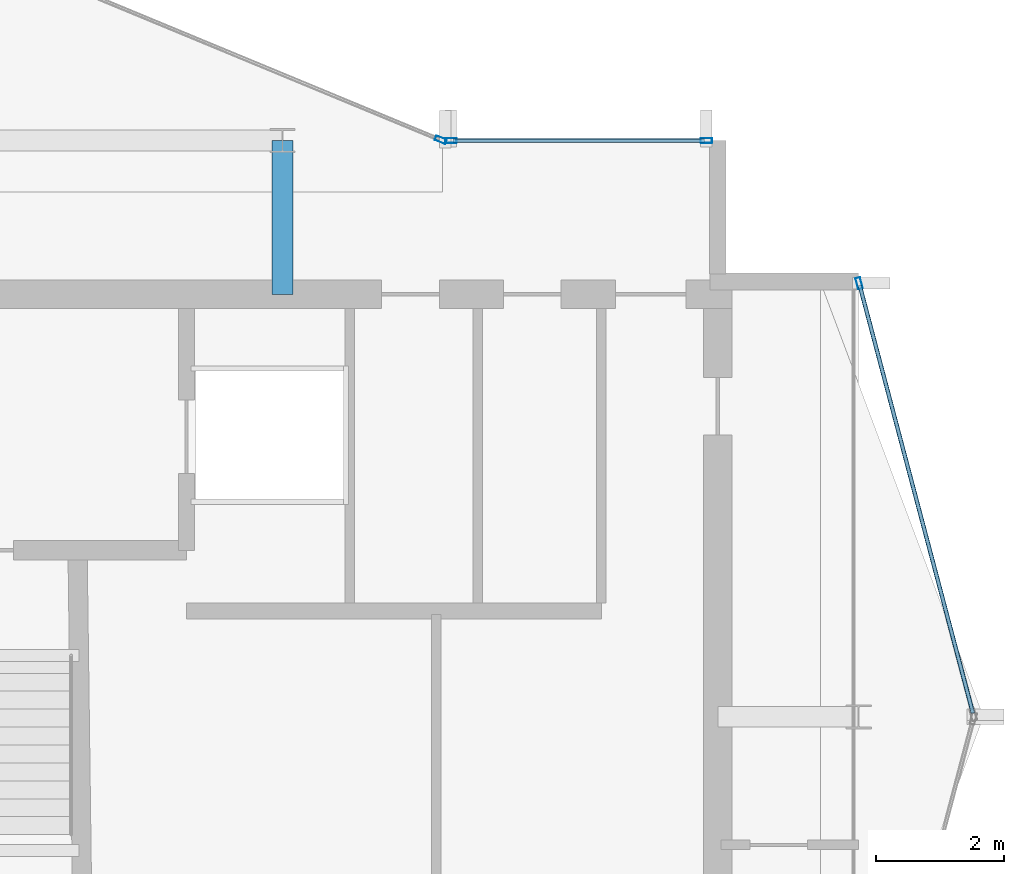
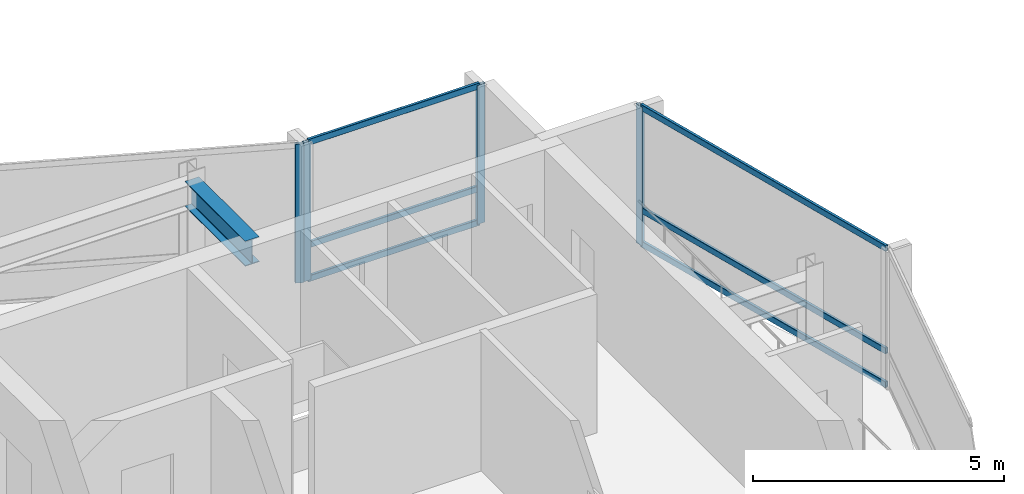
# One storey, part 10 of 19: 10 members, 1 beam, 3 elements without a shape of their own.
"""IFC4 building model written with IfcOpenShell, lengths in metres."""

from ifc_helpers import new_model, si_unit, direction, frame, origin, origin_2d, place, context, subcontext, project, spatial, hollow_rectangle, i_section, extrude, material, layer, layer_set, material_profile, profile_set, type_object, element, aggregate, save


model = new_model("IFC4")

# Units and contexts
model_context = context("Model", 3, precision=1e-05, world=origin(), true_north=direction((0.0, 1.0)))
body_context = subcontext(model_context, "Body", "Model", "MODEL_VIEW")
ifc_project = project(units=[si_unit("LENGTHUNIT", "METRE"), si_unit("AREAUNIT", "SQUARE_METRE"), si_unit("VOLUMEUNIT", "CUBIC_METRE"), si_unit("PLANEANGLEUNIT", "RADIAN"), si_unit("MASSUNIT", "GRAM", prefix="KILO")], contexts=[model_context])

# Site, building, storey
site_placement = place(None, origin())
site = spatial("IfcSite", under=ifc_project, at=site_placement, CompositionType="ELEMENT")
building_placement = place(site_placement, origin())
building = spatial("IfcBuilding", under=site, at=building_placement, Name="Solvaryn Broadcast Tower", CompositionType="ELEMENT")
storey_placement = place(building_placement, frame((0.0, 0.0, 281.5)))
storey = spatial("IfcBuildingStorey", under=building, at=storey_placement, Name="L71", CompositionType="ELEMENT", Elevation=281.5)

# Beam
ifc_material_1 = material(Name="Steel ASTM A992 Grade 50", Category="steel")
ifc_material_profile_1 = material_profile(ifc_material_1, i_section(OverallWidth=0.323974609375, OverallDepth=0.611083984375, WebThickness=0.0126953125, FlangeThickness=0.01904296875, FilletRadius=0.014892578125, at=origin_2d()))
ifc_profile_set_1 = profile_set([ifc_material_profile_1], Name="Steel ASTM A992 Grade 50")
beam_type = type_object("IfcBeamType", Name="BM-B1-W24X104", PredefinedType="BEAM", material=ifc_profile_set_1)
beam_placement = place(storey_placement, frame((36.0, 24.60009765625, 3.064453125), z_axis=(0.0, 1.0, 0.0), x_axis=(-1.0, 0.0, 0.0)))
element("IfcBeam", 1, at=beam_placement, inside=storey, type_object=beam_type, Name="L71 Core Tie Beam CTE2", PredefinedType="BEAM", context=body_context, shape_type="SweptSolid", body=[
    extrude(i_section(OverallWidth=0.323974609375, OverallDepth=0.611083984375, WebThickness=0.0126953125, FlangeThickness=0.01904296875, FilletRadius=0.014892578125, at=origin_2d()), origin(), (0.0, 0.0, 1.0), 2.39990234375),
])

# Curtain wall, member
ifc_material_2 = material(Name="Aluminium and Terracotta Unitised Curtain Wall", Category="masonry")
ifc_layer = layer(ifc_material_2, 0.199951171875)
ifc_layer_set = layer_set([ifc_layer], Name="CW-SYS2-LOWMID")
curtain_wall_type = type_object("IfcCurtainWallType", Name="CW-SYS2-LOWMID", PredefinedType="NOTDEFINED", material=ifc_layer_set)
curtain_wall_1_placement = place(storey_placement, origin())
curtain_wall_1 = element("IfcCurtainWall", 2, at=curtain_wall_1_placement, inside=storey, type_object=curtain_wall_type, Name="L71 Curtain Wall CN1", PredefinedType="NOTDEFINED")
ifc_material_3 = material(Name="Anodised Aluminium 6063-T6", Category="aluminium")
ifc_material_profile_2 = material_profile(ifc_material_3, hollow_rectangle(XDim=0.074951171875, YDim=0.179931640625, WallThickness=0.00390625, InnerFilletRadius=0.00390625, OuterFilletRadius=0.008056640625, at=origin_2d()))
ifc_profile_set_2 = profile_set([ifc_material_profile_2], Name="Anodised Aluminium 6063-T6")
member_type_1 = type_object("IfcMemberType", Name="CW-MUL-180", PredefinedType="MULLION", material=ifc_profile_set_2)
member_1_placement = place(storey_placement, frame((38.47216796875, 27.011474609375, 0.0), z_axis=(0.0, 0.0, 1.0), x_axis=(-0.382646127145, -0.923894983957, 0.0)))
member_1 = element("IfcMember", 3, at=member_1_placement, type_object=member_type_1, Name="CWS2 mullion 1", PredefinedType="MULLION", context=body_context, shape_type="SweptSolid", body=[
    extrude(hollow_rectangle(XDim=0.074951171875, YDim=0.179931640625, WallThickness=0.00390625, InnerFilletRadius=0.00390625, OuterFilletRadius=0.008056640625, at=origin_2d()), origin(), (0.0, 0.0, 1.0), 3.3701171875),
])
aggregate(curtain_wall_1, [member_1])

curtain_wall_2_placement = place(storey_placement, origin())
curtain_wall_2 = element("IfcCurtainWall", 4, at=curtain_wall_2_placement, inside=storey, type_object=curtain_wall_type, Name="L71 Curtain Wall ET1", PredefinedType="NOTDEFINED")
member_2_placement = place(storey_placement, frame((45.007568359375, 24.77099609375, 0.0), z_axis=(0.0, 0.0, 1.0), x_axis=(0.966705227863, 0.25589256031, 0.0)))
member_2 = element("IfcMember", 5, at=member_2_placement, type_object=member_type_1, Name="CWS2 mullion 1", PredefinedType="MULLION", context=body_context, shape_type="SweptSolid", body=[
    extrude(hollow_rectangle(XDim=0.074951171875, YDim=0.179931640625, WallThickness=0.00390625, InnerFilletRadius=0.00390625, OuterFilletRadius=0.008056640625, at=origin_2d()), origin(), (0.0, 0.0, 1.0), 3.3701171875),
])

# Curtain wall, members
curtain_wall_3_placement = place(storey_placement, origin())
curtain_wall_3 = element("IfcCurtainWall", 6, at=curtain_wall_3_placement, inside=storey, type_object=curtain_wall_type, Name="L71 Curtain Wall IH", PredefinedType="NOTDEFINED")
member_3_placement = place(storey_placement, frame((38.6298828125, 27.0, 0.0), z_axis=(0.0, 0.0, 1.0), x_axis=(0.0, 1.0, 0.0)))
member_3 = element("IfcMember", 7, at=member_3_placement, type_object=member_type_1, Name="CWS2 mullion 1", PredefinedType="MULLION", context=body_context, shape_type="SweptSolid", body=[
    extrude(hollow_rectangle(XDim=0.074951171875, YDim=0.179931640625, WallThickness=0.00390625, InnerFilletRadius=0.00390625, OuterFilletRadius=0.008056640625, at=origin_2d()), origin(), (0.0, 0.0, 1.0), 3.3701171875),
])
member_4_placement = place(storey_placement, frame((42.6201171875, 27.0, 0.0), z_axis=(0.0, 0.0, 1.0), x_axis=(0.0, 1.0, 0.0)))
member_4 = element("IfcMember", 8, at=member_4_placement, type_object=member_type_1, Name="CWS2 mullion 2", PredefinedType="MULLION", context=body_context, shape_type="SweptSolid", body=[
    extrude(hollow_rectangle(XDim=0.074951171875, YDim=0.179931640625, WallThickness=0.00390625, InnerFilletRadius=0.00390625, OuterFilletRadius=0.008056640625, at=origin_2d()), origin(), (0.0, 0.0, 1.0), 3.3701171875),
])

# Member
ifc_material_4 = material(Name="Anodised Aluminium 6063-T6", Category="aluminium")
ifc_material_profile_3 = material_profile(ifc_material_4, hollow_rectangle(XDim=0.06494140625, YDim=0.14990234375, WallThickness=0.00390625, InnerFilletRadius=0.00390625, OuterFilletRadius=0.008056640625, at=origin_2d()))
ifc_profile_set_3 = profile_set([ifc_material_profile_3], Name="Anodised Aluminium 6063-T6")
member_type_2 = type_object("IfcMemberType", Name="CW-TRN-150", PredefinedType="USERDEFINED", material=ifc_profile_set_3)
member_5_placement = place(storey_placement, frame((45.015380859375, 24.741943359375, 0.030029296875), z_axis=(0.255897413051, -0.966703943301, 0.0), x_axis=(0.966703943301, 0.255897413051, 0.0)))
member_5 = element("IfcMember", 9, at=member_5_placement, type_object=member_type_2, Name="CWS2 transom 1.1", ObjectType="TRANSOM", PredefinedType="USERDEFINED", context=body_context, shape_type="SweptSolid", body=[
    extrude(hollow_rectangle(XDim=0.06494140625, YDim=0.14990234375, WallThickness=0.00390625, InnerFilletRadius=0.00390625, OuterFilletRadius=0.008056640625, at=origin_2d()), origin(), (0.0, 0.0, 1.0), 6.9140625),
])

member_6_placement = place(storey_placement, frame((45.015380859375, 24.741943359375, 0.85009765625), z_axis=(0.255897413051, -0.966703943301, 0.0), x_axis=(0.966703943301, 0.255897413051, 0.0)))
member_6 = element("IfcMember", 10, at=member_6_placement, type_object=member_type_2, Name="CWS2 transom 1.2", ObjectType="TRANSOM", PredefinedType="USERDEFINED", context=body_context, shape_type="SweptSolid", body=[
    extrude(hollow_rectangle(XDim=0.06494140625, YDim=0.14990234375, WallThickness=0.00390625, InnerFilletRadius=0.00390625, OuterFilletRadius=0.008056640625, at=origin_2d()), origin(), (0.0, 0.0, 1.0), 6.9140625),
])

member_7_placement = place(storey_placement, frame((45.015380859375, 24.741943359375, 3.340087890625), z_axis=(0.255897413051, -0.966703943301, 0.0), x_axis=(0.966703943301, 0.255897413051, 0.0)))
member_7 = element("IfcMember", 11, at=member_7_placement, type_object=member_type_2, Name="CWS2 transom 1.3", ObjectType="TRANSOM", PredefinedType="USERDEFINED", context=body_context, shape_type="SweptSolid", body=[
    extrude(hollow_rectangle(XDim=0.06494140625, YDim=0.14990234375, WallThickness=0.00390625, InnerFilletRadius=0.00390625, OuterFilletRadius=0.008056640625, at=origin_2d()), origin(), (0.0, 0.0, 1.0), 6.9140625),
])

aggregate(curtain_wall_2, [member_2, member_5, member_6, member_7])

member_8_placement = place(storey_placement, frame((38.659912109375, 27.0, 0.030029296875), z_axis=(1.0, 0.0, 0.0), x_axis=(0.0, 1.0, 0.0)))
member_8 = element("IfcMember", 12, at=member_8_placement, type_object=member_type_2, Name="CWS2 transom 1.1", ObjectType="TRANSOM", PredefinedType="USERDEFINED", context=body_context, shape_type="SweptSolid", body=[
    extrude(hollow_rectangle(XDim=0.06494140625, YDim=0.14990234375, WallThickness=0.00390625, InnerFilletRadius=0.00390625, OuterFilletRadius=0.008056640625, at=origin_2d()), origin(), (0.0, 0.0, 1.0), 3.93017578125),
])

member_9_placement = place(storey_placement, frame((38.659912109375, 27.0, 0.85009765625), z_axis=(1.0, 0.0, 0.0), x_axis=(0.0, 1.0, 0.0)))
member_9 = element("IfcMember", 13, at=member_9_placement, type_object=member_type_2, Name="CWS2 transom 1.2", ObjectType="TRANSOM", PredefinedType="USERDEFINED", context=body_context, shape_type="SweptSolid", body=[
    extrude(hollow_rectangle(XDim=0.06494140625, YDim=0.14990234375, WallThickness=0.00390625, InnerFilletRadius=0.00390625, OuterFilletRadius=0.008056640625, at=origin_2d()), origin(), (0.0, 0.0, 1.0), 3.93017578125),
])

member_10_placement = place(storey_placement, frame((38.659912109375, 27.0, 3.340087890625), z_axis=(1.0, 0.0, 0.0), x_axis=(0.0, 1.0, 0.0)))
member_10 = element("IfcMember", 14, at=member_10_placement, type_object=member_type_2, Name="CWS2 transom 1.3", ObjectType="TRANSOM", PredefinedType="USERDEFINED", context=body_context, shape_type="SweptSolid", body=[
    extrude(hollow_rectangle(XDim=0.06494140625, YDim=0.14990234375, WallThickness=0.00390625, InnerFilletRadius=0.00390625, OuterFilletRadius=0.008056640625, at=origin_2d()), origin(), (0.0, 0.0, 1.0), 3.93017578125),
])

aggregate(curtain_wall_3, [member_3, member_4, member_8, member_9, member_10])

save(model, "model.ifc")
